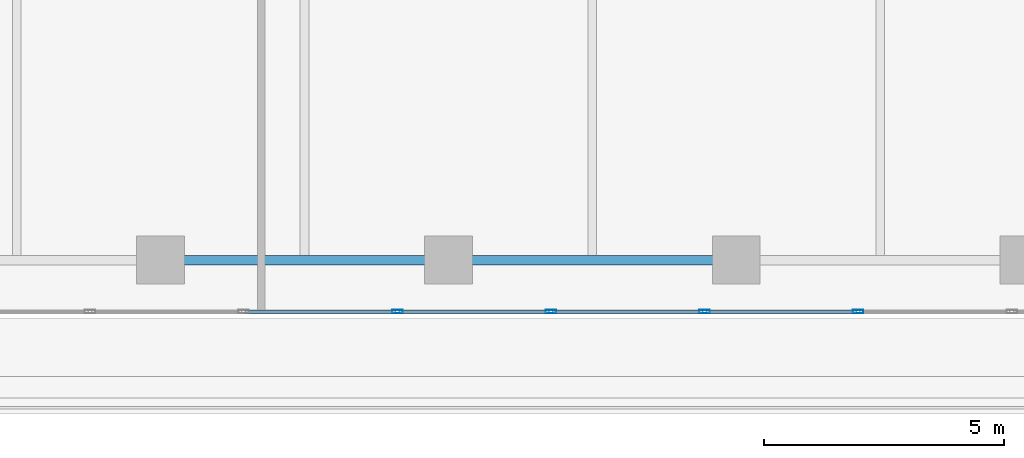
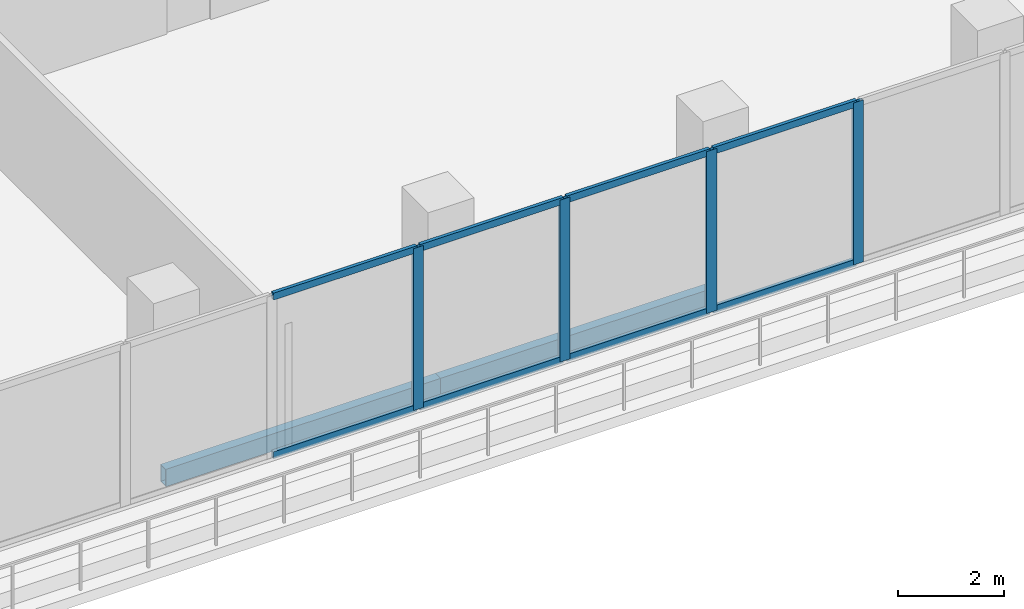
# One storey, part 8 of 38: 12 members, 2 beams, 1 element without a shape of its own.
"""IFC4 building model written with IfcOpenShell, lengths in metres."""

from ifc_helpers import new_model, si_unit, direction, frame, origin, origin_2d, place, context, subcontext, project, spatial, hollow_rectangle, extrude, material, layer, layer_set, material_profile, profile_set, type_object, element, aggregate, save


model = new_model("IFC4")

# Units and contexts
model_context = context("Model", 3, precision=1e-05, world=origin(), true_north=direction((0.0, 1.0)))
body_context = subcontext(model_context, "Body", "Model", "MODEL_VIEW")
ifc_project = project(units=[si_unit("LENGTHUNIT", "METRE"), si_unit("AREAUNIT", "SQUARE_METRE"), si_unit("VOLUMEUNIT", "CUBIC_METRE"), si_unit("PLANEANGLEUNIT", "RADIAN"), si_unit("MASSUNIT", "GRAM", prefix="KILO")], contexts=[model_context])

# Site, building, storey
site_placement = place(None, origin())
site = spatial("IfcSite", under=ifc_project, at=site_placement, CompositionType="ELEMENT")
building_placement = place(site_placement, origin())
building = spatial("IfcBuilding", under=site, at=building_placement, Name="Tanjung Sevakor Pilgrim Tower", CompositionType="ELEMENT")
storey_placement = place(building_placement, frame((0.0, 0.0, 78.2099609375)))
storey = spatial("IfcBuildingStorey", under=building, at=storey_placement, Name="L21", CompositionType="ELEMENT", Elevation=78.2099609375)

# Beams
ifc_material_1 = material(Name="Steel S355J2", Category="steel")
ifc_material_profile_1 = material_profile(ifc_material_1, hollow_rectangle(XDim=0.199951171875, YDim=0.39990234375, WallThickness=0.01611328125, at=origin_2d()))
ifc_profile_set_1 = profile_set([ifc_material_profile_1], Name="Steel S355J2")
beam_type = type_object("IfcBeamType", Name="BM-B-SP2-RHS_400x200x16", PredefinedType="SPANDREL", material=ifc_profile_set_1)
for number, where, z_axis, x_axis, name in (
    (1, (66.0, 10.800048828125, -0.47998046875), (1.0, 0.0, 0.0), (0.0, 1.0, 0.0), "L21 Spandrel MAIN S-11"),
    (2, (72.0, 10.800048828125, -0.47998046875), (1.0, 0.0, 0.0), (0.0, 1.0, 0.0), "L21 Spandrel MAIN S-13"),
):
    element("IfcBeam", number, at=place(storey_placement, frame(where, z_axis=z_axis, x_axis=x_axis)), inside=storey, type_object=beam_type, Name=name, PredefinedType="SPANDREL", context=body_context, shape_type="SweptSolid", body=[
        extrude(hollow_rectangle(XDim=0.199951171875, YDim=0.39990234375, WallThickness=0.01611328125, at=origin_2d()), origin(), (0.0, 0.0, 1.0), 6.0),
    ])

# Curtain wall, members
ifc_material_2 = material(Name="Aluminium 6063-T6 and Low-E Glass", Category="aluminium")
ifc_layer = layer(ifc_material_2, 0.199951171875)
ifc_layer_set = layer_set([ifc_layer], Name="CW-SYS-SKY")
curtain_wall_type = type_object("IfcCurtainWallType", Name="CW-SYS-SKY", PredefinedType="NOTDEFINED", material=ifc_layer_set)
curtain_wall_placement = place(storey_placement, origin())
curtain_wall = element("IfcCurtainWall", 3, at=curtain_wall_placement, inside=storey, type_object=curtain_wall_type, Name="L21 Curtain Wall CW-SKY-L21-S", PredefinedType="NOTDEFINED")
ifc_material_3 = material(Name="Aluminium 6063-T6", Category="aluminium")
ifc_material_profile_2 = material_profile(ifc_material_3, hollow_rectangle(XDim=0.074951171875, YDim=0.219970703125, WallThickness=0.0048828125, at=origin_2d()))
ifc_profile_set_2 = profile_set([ifc_material_profile_2], Name="Aluminium 6063-T6")
member_type_1 = type_object("IfcMemberType", Name="TYPE-CWM-2", PredefinedType="MULLION", material=ifc_profile_set_2)
member_1_placement = place(storey_placement, frame((70.934326171875, 9.72509765625, 0.0), z_axis=(0.0, 0.0, 1.0), x_axis=(0.0, 1.0, 0.0)))
member_1 = element("IfcMember", 4, at=member_1_placement, type_object=member_type_1, Name="CW-SKY mullion 5", PredefinedType="MULLION", context=body_context, shape_type="SweptSolid", body=[
    extrude(hollow_rectangle(XDim=0.074951171875, YDim=0.219970703125, WallThickness=0.0048828125, at=origin_2d()), origin(), (0.0, 0.0, 1.0), 3.739990234375),
])
member_2_placement = place(storey_placement, frame((74.13671875, 9.72509765625, 0.0), z_axis=(0.0, 0.0, 1.0), x_axis=(0.0, 1.0, 0.0)))
member_2 = element("IfcMember", 5, at=member_2_placement, type_object=member_type_1, Name="CW-SKY mullion 6", PredefinedType="MULLION", context=body_context, shape_type="SweptSolid", body=[
    extrude(hollow_rectangle(XDim=0.074951171875, YDim=0.219970703125, WallThickness=0.0048828125, at=origin_2d()), origin(), (0.0, 0.0, 1.0), 3.739990234375),
])
member_3_placement = place(storey_placement, frame((77.3388671875, 9.72509765625, 0.0), z_axis=(0.0, 0.0, 1.0), x_axis=(0.0, 1.0, 0.0)))
member_3 = element("IfcMember", 6, at=member_3_placement, type_object=member_type_1, Name="CW-SKY mullion 7", PredefinedType="MULLION", context=body_context, shape_type="SweptSolid", body=[
    extrude(hollow_rectangle(XDim=0.074951171875, YDim=0.219970703125, WallThickness=0.0048828125, at=origin_2d()), origin(), (0.0, 0.0, 1.0), 3.739990234375),
])
member_4_placement = place(storey_placement, frame((80.541259765625, 9.72509765625, 0.0), z_axis=(0.0, 0.0, 1.0), x_axis=(0.0, 1.0, 0.0)))
member_4 = element("IfcMember", 7, at=member_4_placement, type_object=member_type_1, Name="CW-SKY mullion 8", PredefinedType="MULLION", context=body_context, shape_type="SweptSolid", body=[
    extrude(hollow_rectangle(XDim=0.074951171875, YDim=0.219970703125, WallThickness=0.0048828125, at=origin_2d()), origin(), (0.0, 0.0, 1.0), 3.739990234375),
])
ifc_material_4 = material(Name="Aluminium 6063-T6", Category="aluminium")
ifc_material_profile_3 = material_profile(ifc_material_4, hollow_rectangle(XDim=0.074951171875, YDim=0.159912109375, WallThickness=0.00439453125, at=origin_2d()))
ifc_profile_set_3 = profile_set([ifc_material_profile_3], Name="Aluminium 6063-T6")
member_type_2 = type_object("IfcMemberType", Name="TYPE-CWT-2", PredefinedType="USERDEFINED", material=ifc_profile_set_3)
member_5_placement = place(storey_placement, frame((67.76953125, 9.72509765625, 0.03759765625), z_axis=(1.0, 0.0, 0.0), x_axis=(0.0, 1.0, 0.0)))
member_5 = element("IfcMember", 8, at=member_5_placement, type_object=member_type_2, Name="CW-SKY transom 4.1", ObjectType="TRANSOM", PredefinedType="USERDEFINED", context=body_context, shape_type="SweptSolid", body=[
    extrude(hollow_rectangle(XDim=0.074951171875, YDim=0.159912109375, WallThickness=0.00439453125, at=origin_2d()), origin(), (0.0, 0.0, 1.0), 3.127197265625),
])
member_6_placement = place(storey_placement, frame((67.76953125, 9.72509765625, 3.70263671875), z_axis=(1.0, 0.0, 0.0), x_axis=(0.0, 1.0, 0.0)))
member_6 = element("IfcMember", 9, at=member_6_placement, type_object=member_type_2, Name="CW-SKY transom 4.2", ObjectType="TRANSOM", PredefinedType="USERDEFINED", context=body_context, shape_type="SweptSolid", body=[
    extrude(hollow_rectangle(XDim=0.074951171875, YDim=0.159912109375, WallThickness=0.00439453125, at=origin_2d()), origin(), (0.0, 0.0, 1.0), 3.127197265625),
])
member_7_placement = place(storey_placement, frame((70.9716796875, 9.72509765625, 0.03759765625), z_axis=(1.0, 0.0, 0.0), x_axis=(0.0, 1.0, 0.0)))
member_7 = element("IfcMember", 10, at=member_7_placement, type_object=member_type_2, Name="CW-SKY transom 5.1", ObjectType="TRANSOM", PredefinedType="USERDEFINED", context=body_context, shape_type="SweptSolid", body=[
    extrude(hollow_rectangle(XDim=0.074951171875, YDim=0.159912109375, WallThickness=0.00439453125, at=origin_2d()), origin(), (0.0, 0.0, 1.0), 3.12744140625),
])
member_8_placement = place(storey_placement, frame((70.9716796875, 9.72509765625, 3.70263671875), z_axis=(1.0, 0.0, 0.0), x_axis=(0.0, 1.0, 0.0)))
member_8 = element("IfcMember", 11, at=member_8_placement, type_object=member_type_2, Name="CW-SKY transom 5.2", ObjectType="TRANSOM", PredefinedType="USERDEFINED", context=body_context, shape_type="SweptSolid", body=[
    extrude(hollow_rectangle(XDim=0.074951171875, YDim=0.159912109375, WallThickness=0.00439453125, at=origin_2d()), origin(), (0.0, 0.0, 1.0), 3.12744140625),
])
member_9_placement = place(storey_placement, frame((74.174072265625, 9.72509765625, 0.03759765625), z_axis=(1.0, 0.0, 0.0), x_axis=(0.0, 1.0, 0.0)))
member_9 = element("IfcMember", 12, at=member_9_placement, type_object=member_type_2, Name="CW-SKY transom 6.1", ObjectType="TRANSOM", PredefinedType="USERDEFINED", context=body_context, shape_type="SweptSolid", body=[
    extrude(hollow_rectangle(XDim=0.074951171875, YDim=0.159912109375, WallThickness=0.00439453125, at=origin_2d()), origin(), (0.0, 0.0, 1.0), 3.12744140625),
])
member_10_placement = place(storey_placement, frame((74.174072265625, 9.72509765625, 3.70263671875), z_axis=(1.0, 0.0, 0.0), x_axis=(0.0, 1.0, 0.0)))
member_10 = element("IfcMember", 13, at=member_10_placement, type_object=member_type_2, Name="CW-SKY transom 6.2", ObjectType="TRANSOM", PredefinedType="USERDEFINED", context=body_context, shape_type="SweptSolid", body=[
    extrude(hollow_rectangle(XDim=0.074951171875, YDim=0.159912109375, WallThickness=0.00439453125, at=origin_2d()), origin(), (0.0, 0.0, 1.0), 3.12744140625),
])
member_11_placement = place(storey_placement, frame((77.37646484375, 9.72509765625, 0.03759765625), z_axis=(1.0, 0.0, 0.0), x_axis=(0.0, 1.0, 0.0)))
member_11 = element("IfcMember", 14, at=member_11_placement, type_object=member_type_2, Name="CW-SKY transom 7.1", ObjectType="TRANSOM", PredefinedType="USERDEFINED", context=body_context, shape_type="SweptSolid", body=[
    extrude(hollow_rectangle(XDim=0.074951171875, YDim=0.159912109375, WallThickness=0.00439453125, at=origin_2d()), origin(), (0.0, 0.0, 1.0), 3.127197265625),
])
member_12_placement = place(storey_placement, frame((77.37646484375, 9.72509765625, 3.70263671875), z_axis=(1.0, 0.0, 0.0), x_axis=(0.0, 1.0, 0.0)))
member_12 = element("IfcMember", 15, at=member_12_placement, type_object=member_type_2, Name="CW-SKY transom 7.2", ObjectType="TRANSOM", PredefinedType="USERDEFINED", context=body_context, shape_type="SweptSolid", body=[
    extrude(hollow_rectangle(XDim=0.074951171875, YDim=0.159912109375, WallThickness=0.00439453125, at=origin_2d()), origin(), (0.0, 0.0, 1.0), 3.127197265625),
])
aggregate(curtain_wall, [member_1, member_2, member_3, member_4, member_5, member_6, member_7, member_8, member_9, member_10, member_11, member_12])

save(model, "model.ifc")
